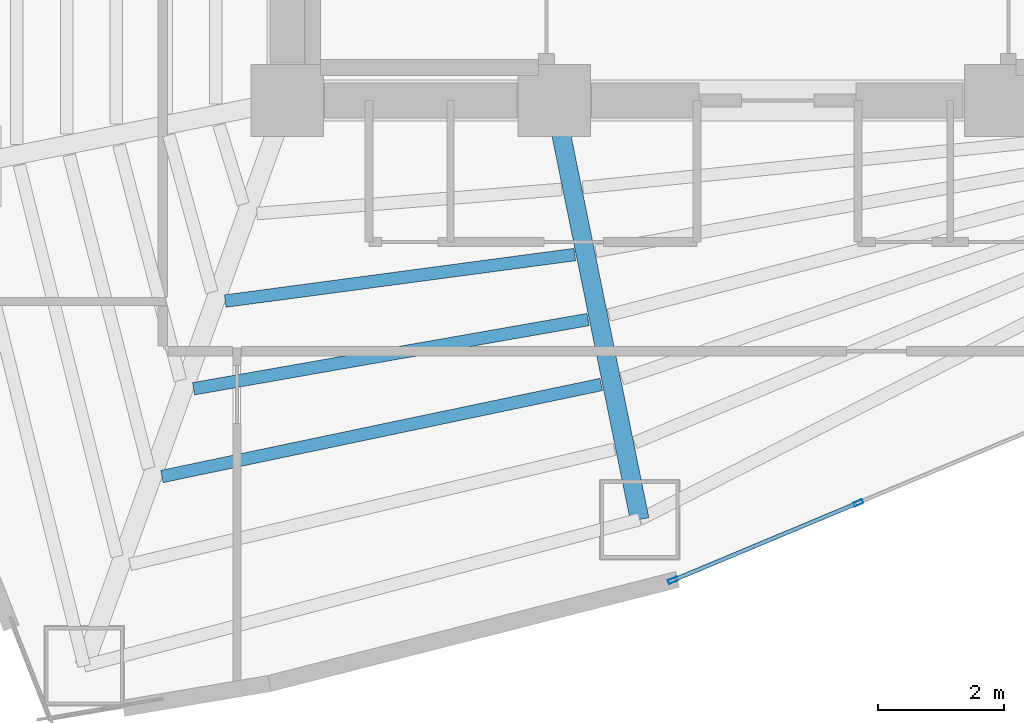
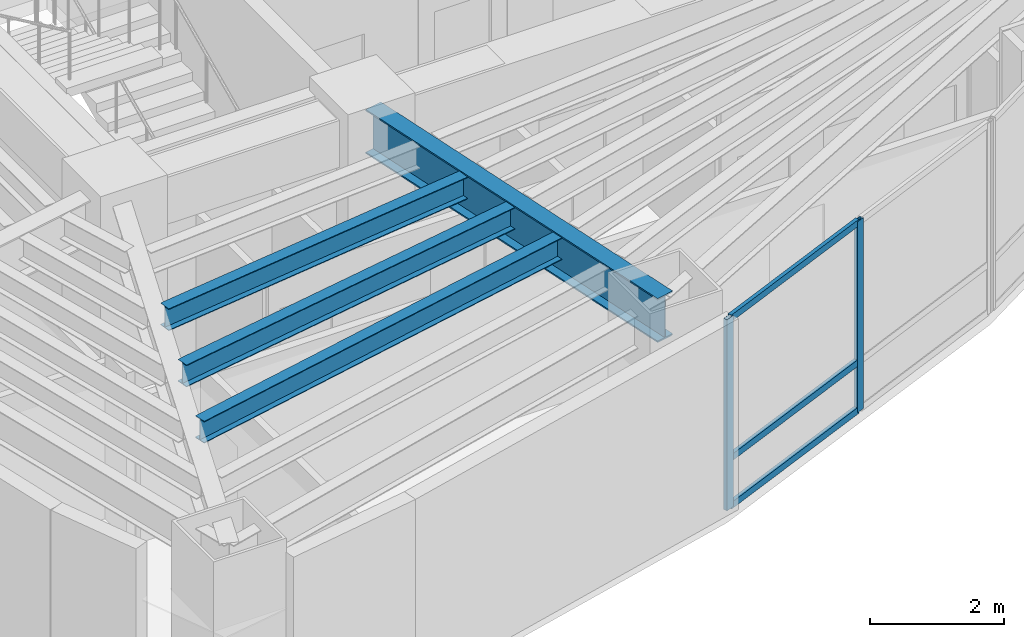
# One storey, part 2 of 18: 5 members, 4 beams, 1 element without a shape of its own.
"""IFC4 building model written with IfcOpenShell, lengths in metres."""

from ifc_helpers import new_model, si_unit, direction, frame, origin, origin_2d, place, context, subcontext, project, spatial, hollow_rectangle, i_section, extrude, material, layer, layer_set, material_profile, profile_set, type_object, element, aggregate, save


model = new_model("IFC4")

# Units and contexts
model_context = context("Model", 3, precision=1e-05, world=origin(), true_north=direction((0.0, 1.0)))
body_context = subcontext(model_context, "Body", "Model", "MODEL_VIEW")
ifc_project = project(units=[si_unit("LENGTHUNIT", "METRE"), si_unit("AREAUNIT", "SQUARE_METRE"), si_unit("VOLUMEUNIT", "CUBIC_METRE"), si_unit("PLANEANGLEUNIT", "RADIAN"), si_unit("MASSUNIT", "GRAM", prefix="KILO")], contexts=[model_context])

# Site, building, storey
site_placement = place(None, origin())
site = spatial("IfcSite", under=ifc_project, at=site_placement, CompositionType="ELEMENT")
building_placement = place(site_placement, origin())
building = spatial("IfcBuilding", under=site, at=building_placement, Name="Menara Vayukalpa", CompositionType="ELEMENT")
storey_placement = place(building_placement, frame((0.0, 0.0, 96.5400390625)))
storey = spatial("IfcBuildingStorey", under=building, at=storey_placement, Name="L23", CompositionType="ELEMENT", Elevation=96.5400390625)

# Beams
ifc_material_1 = material(Name="Steel S355", Category="steel")
ifc_material_profile_1 = material_profile(ifc_material_1, i_section(OverallWidth=0.300048828125, OverallDepth=0.800048828125, WebThickness=0.013916015625, FlangeThickness=0.02587890625, at=origin_2d()), Name="WF 800x300x14x26")
ifc_profile_set_1 = profile_set([ifc_material_profile_1], Name="Steel S355")
beam_type_1 = type_object("IfcBeamType", Name="BM-PG3", PredefinedType="BEAM", material=ifc_profile_set_1)
beam_1_placement = place(storey_placement, frame((22.099853515625, 16.955078125, 3.070068359375), z_axis=(0.199617728418, -0.9798738503, 0.0), x_axis=(0.9798738503, 0.199617728418, 0.0)))
element("IfcBeam", 1, at=beam_1_placement, inside=storey, type_object=beam_type_1, Name="L23 Primary Radial Girder RG08", PredefinedType="BEAM", context=body_context, shape_type="SweptSolid", body=[
    extrude(i_section(OverallWidth=0.300048828125, OverallDepth=0.800048828125, WebThickness=0.013916015625, FlangeThickness=0.02587890625, at=origin_2d()), origin(), (0.0, 0.0, 1.0), 6.55419921875),
])
ifc_material_2 = material(Name="Steel S355", Category="steel")
ifc_material_profile_2 = material_profile(ifc_material_2, i_section(OverallWidth=0.199951171875, OverallDepth=0.39990234375, WebThickness=0.008056640625, FlangeThickness=0.012939453125, at=origin_2d()), Name="WF 400x200x8x13")
ifc_profile_set_2 = profile_set([ifc_material_profile_2], Name="Steel S355")
beam_type_2 = type_object("IfcBeamType", Name="BM-SJ2", PredefinedType="JOIST", material=ifc_profile_set_2)
beam_2_placement = place(storey_placement, frame((16.814208984375, 14.008056640625, 3.27001953125), z_axis=(0.991248408809, 0.132009817941, 0.0), x_axis=(-0.132009817941, 0.991248408809, 0.0)))
element("IfcBeam", 2, at=beam_2_placement, inside=storey, type_object=beam_type_2, Name="L23 Secondary Floor Joist SJ07-2", PredefinedType="JOIST", context=body_context, shape_type="SweptSolid", body=[
    extrude(i_section(OverallWidth=0.199951171875, OverallDepth=0.39990234375, WebThickness=0.008056640625, FlangeThickness=0.012939453125, at=origin_2d()), origin(), (0.0, 0.0, 1.0), 5.611083984375),
])
beam_3_placement = place(storey_placement, frame((16.309814453125, 12.613037109375, 3.27001953125), z_axis=(0.984953935883, 0.172817083033, 0.0), x_axis=(-0.172817083033, 0.984953935883, 0.0)))
element("IfcBeam", 3, at=beam_3_placement, inside=storey, type_object=beam_type_2, Name="L23 Secondary Floor Joist SJ07-3", PredefinedType="JOIST", context=body_context, shape_type="SweptSolid", body=[
    extrude(i_section(OverallWidth=0.199951171875, OverallDepth=0.39990234375, WebThickness=0.008056640625, FlangeThickness=0.012939453125, at=origin_2d()), origin(), (0.0, 0.0, 1.0), 6.372802734375),
])
beam_4_placement = place(storey_placement, frame((15.805419921875, 11.216552734375, 3.27001953125), z_axis=(0.978749487369, 0.205059603471, 0.0), x_axis=(-0.205059603471, 0.978749487369, 0.0)))
element("IfcBeam", 4, at=beam_4_placement, inside=storey, type_object=beam_type_2, Name="L23 Secondary Floor Joist SJ07-4", PredefinedType="JOIST", context=body_context, shape_type="SweptSolid", body=[
    extrude(i_section(OverallWidth=0.199951171875, OverallDepth=0.39990234375, WebThickness=0.008056640625, FlangeThickness=0.012939453125, at=origin_2d()), origin(), (0.0, 0.0, 1.0), 7.1435546875),
])

# Curtain wall, members
ifc_material_3 = material(Name="Anodised Terracotta Aluminium Alloy 6063-T6", Category="masonry")
ifc_layer = layer(ifc_material_3, 0.14990234375)
ifc_layer_set = layer_set([ifc_layer], Name="Anodised Terracotta Aluminium Alloy 6063-T6")
curtain_wall_type = type_object("IfcCurtainWallType", Name="CW-CW3", PredefinedType="USERDEFINED", material=ifc_layer_set)
curtain_wall_placement = place(storey_placement, origin())
curtain_wall = element("IfcCurtainWall", 5, at=curtain_wall_placement, inside=storey, type_object=curtain_wall_type, Name="L23 Mid Rise Terracotta Ribbon Curtain Wall CW3 16", ObjectType="UNITISED", PredefinedType="USERDEFINED")
ifc_material_4 = material(Name="Anodised Terracotta Aluminium Alloy 6063-T6", Category="masonry")
ifc_material_profile_3 = material_profile(ifc_material_4, hollow_rectangle(XDim=0.06494140625, YDim=0.14990234375, WallThickness=0.00341796875, at=origin_2d()), Name="ALU 65x150x3.5")
ifc_profile_set_3 = profile_set([ifc_material_profile_3], Name="Anodised Terracotta Aluminium Alloy 6063-T6")
member_type_1 = type_object("IfcMemberType", Name="CWM-CW3", PredefinedType="MULLION", material=ifc_profile_set_3)
member_1_placement = place(storey_placement, frame((23.9375, 9.56494140625, 0.0), z_axis=(0.0, 0.0, 1.0), x_axis=(-0.38589358437, 0.922543300632, 0.0)))
member_1 = element("IfcMember", 6, at=member_1_placement, type_object=member_type_1, Name="CW3 mullion 1", PredefinedType="MULLION", context=body_context, shape_type="SweptSolid", body=[
    extrude(hollow_rectangle(XDim=0.06494140625, YDim=0.14990234375, WallThickness=0.00341796875, at=origin_2d()), origin(), (0.0, 0.0, 1.0), 3.469970703125),
])
member_2_placement = place(storey_placement, frame((26.88671875, 10.798583984375, 0.0), z_axis=(0.0, 0.0, 1.0), x_axis=(-0.38589358437, 0.922543300632, 0.0)))
member_2 = element("IfcMember", 7, at=member_2_placement, type_object=member_type_1, Name="CW3 mullion 2", PredefinedType="MULLION", context=body_context, shape_type="SweptSolid", body=[
    extrude(hollow_rectangle(XDim=0.06494140625, YDim=0.14990234375, WallThickness=0.00341796875, at=origin_2d()), origin(), (0.0, 0.0, 1.0), 3.469970703125),
])
ifc_material_5 = material(Name="Anodised Terracotta Aluminium Alloy 6063-T6", Category="masonry")
ifc_material_profile_4 = material_profile(ifc_material_5, hollow_rectangle(XDim=0.06494140625, YDim=0.1201171875, WallThickness=0.00341796875, at=origin_2d()), Name="ALU 65x120x3.5")
ifc_profile_set_4 = profile_set([ifc_material_profile_4], Name="Anodised Terracotta Aluminium Alloy 6063-T6")
member_type_2 = type_object("IfcMemberType", Name="CWT-CW3", PredefinedType="USERDEFINED", material=ifc_profile_set_4)
member_3_placement = place(storey_placement, frame((23.96728515625, 9.577392578125, 0.032470703125), z_axis=(0.922529423765, 0.385926757673, 0.0), x_axis=(-0.385926757673, 0.922529423765, 0.0)))
member_3 = element("IfcMember", 8, at=member_3_placement, type_object=member_type_2, Name="CW3 transom 1.1", ObjectType="TRANSOM", PredefinedType="USERDEFINED", context=body_context, shape_type="SweptSolid", body=[
    extrude(hollow_rectangle(XDim=0.06494140625, YDim=0.1201171875, WallThickness=0.00341796875, at=origin_2d()), origin(), (0.0, 0.0, 1.0), 3.132080078125),
])
member_4_placement = place(storey_placement, frame((23.96728515625, 9.577392578125, 0.89990234375), z_axis=(0.922529423765, 0.385926757673, 0.0), x_axis=(-0.385926757673, 0.922529423765, 0.0)))
member_4 = element("IfcMember", 9, at=member_4_placement, type_object=member_type_2, Name="CW3 transom 1.2", ObjectType="TRANSOM", PredefinedType="USERDEFINED", context=body_context, shape_type="SweptSolid", body=[
    extrude(hollow_rectangle(XDim=0.06494140625, YDim=0.1201171875, WallThickness=0.00341796875, at=origin_2d()), origin(), (0.0, 0.0, 1.0), 3.132080078125),
])
member_5_placement = place(storey_placement, frame((23.96728515625, 9.577392578125, 3.4375), z_axis=(0.922529423765, 0.385926757673, 0.0), x_axis=(-0.385926757673, 0.922529423765, 0.0)))
member_5 = element("IfcMember", 10, at=member_5_placement, type_object=member_type_2, Name="CW3 transom 1.3", ObjectType="TRANSOM", PredefinedType="USERDEFINED", context=body_context, shape_type="SweptSolid", body=[
    extrude(hollow_rectangle(XDim=0.06494140625, YDim=0.1201171875, WallThickness=0.00341796875, at=origin_2d()), origin(), (0.0, 0.0, 1.0), 3.132080078125),
])
aggregate(curtain_wall, [member_1, member_2, member_3, member_4, member_5])

save(model, "model.ifc")
